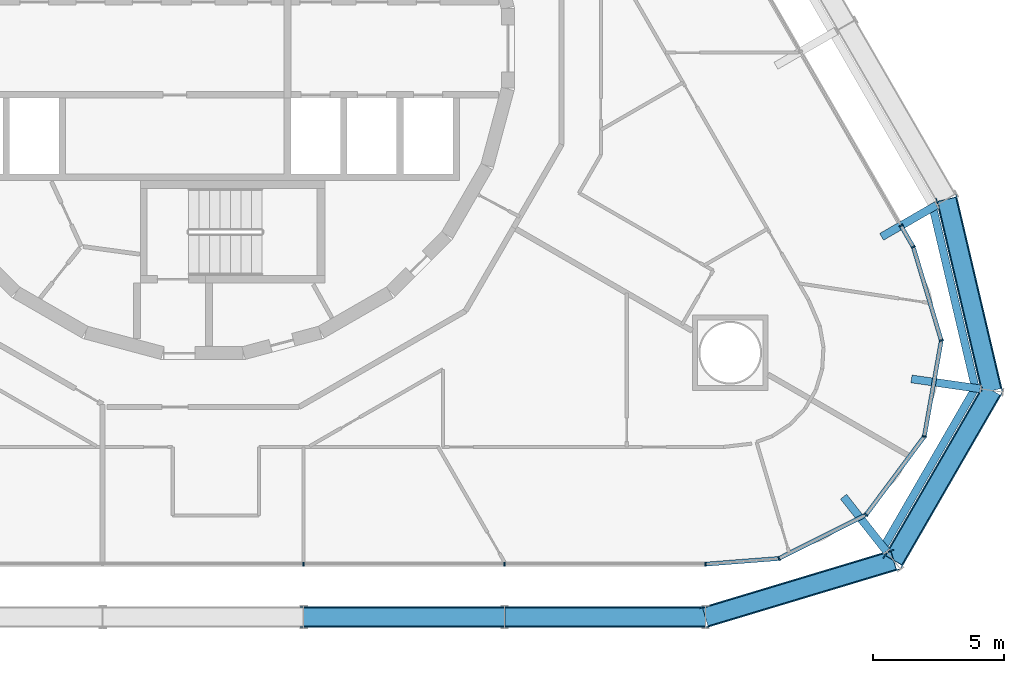
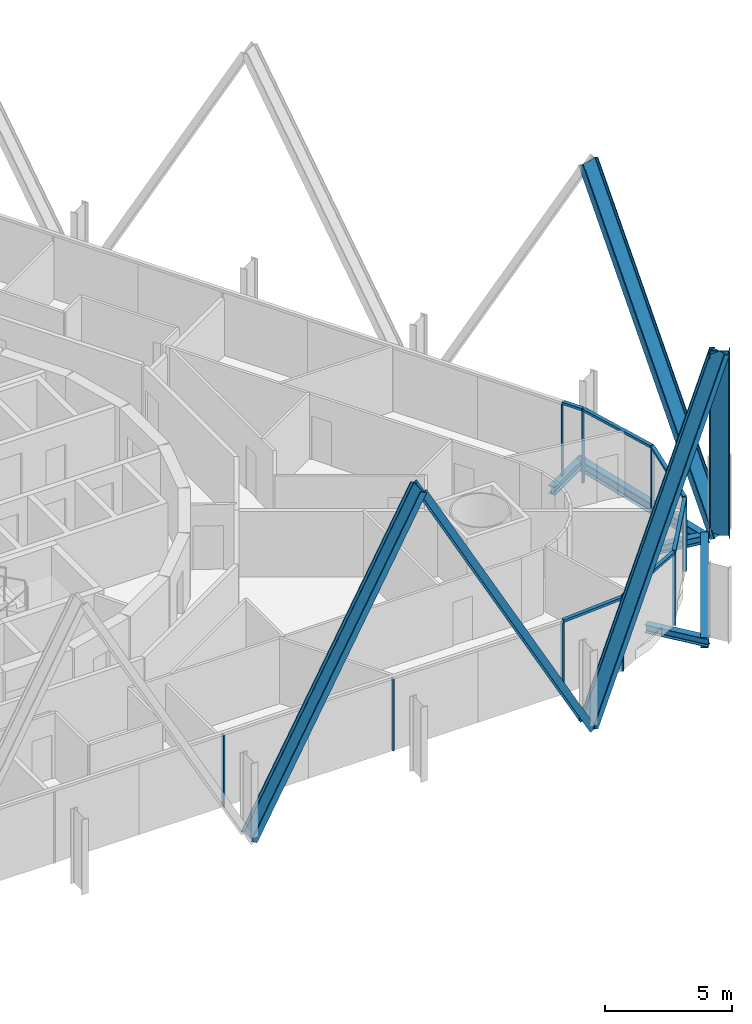
# One storey, part 7 of 21: 20 members, 5 beams, 3 elements without a shape of their own.
"""IFC4 building model written with IfcOpenShell, lengths in metres."""

from ifc_helpers import new_model, si_unit, direction, frame, origin, origin_2d, place, context, subcontext, project, spatial, rectangle, i_section, extrude, material, layer, layer_set, material_profile, profile_set, type_object, element, aggregate, save


model = new_model("IFC4")

# Units and contexts
model_context = context("Model", 3, precision=1e-05, world=origin(), true_north=direction((0.0, 1.0)))
body_context = subcontext(model_context, "Body", "Model", "MODEL_VIEW")
ifc_project = project(units=[si_unit("LENGTHUNIT", "METRE"), si_unit("AREAUNIT", "SQUARE_METRE"), si_unit("VOLUMEUNIT", "CUBIC_METRE"), si_unit("PLANEANGLEUNIT", "RADIAN"), si_unit("MASSUNIT", "GRAM", prefix="KILO")], contexts=[model_context])

# Site, building, storey
site_placement = place(None, origin())
site = spatial("IfcSite", under=ifc_project, at=site_placement, CompositionType="ELEMENT")
building_placement = place(site_placement, origin())
building = spatial("IfcBuilding", under=site, at=building_placement, Name="Spindle Arch Residences", CompositionType="ELEMENT")
storey_placement = place(building_placement, frame((0.0, 0.0, 38.39990234375)))
storey = spatial("IfcBuildingStorey", under=building, at=storey_placement, Name="L07", CompositionType="ELEMENT", Elevation=38.39990234375)

# Curtain wall, members
ifc_material_1 = material(Name="Aluminium bronze unitised frame with tinted glass", Category="aluminium")
ifc_layer_1 = layer(ifc_material_1, 0.159912109375)
ifc_layer_set_1 = layer_set([ifc_layer_1], Name="CW-D corner wall on the fillet arcs")
curtain_wall_type_1 = type_object("IfcCurtainWallType", Name="CW-D corner wall on the fillet arcs", PredefinedType="NOTDEFINED", material=ifc_layer_set_1)
curtain_wall_1_placement = place(storey_placement, origin())
curtain_wall_1 = element("IfcCurtainWall", 1, at=curtain_wall_1_placement, inside=storey, type_object=curtain_wall_type_1, Name="CW-D L07 run 1", PredefinedType="NOTDEFINED")
ifc_material_2 = material(Name="Aluminium bronze anodised mullion", Category="aluminium")
ifc_material_profile_1 = material_profile(ifc_material_2, rectangle(XDim=0.159912109375, YDim=0.06005859375, at=origin_2d()), Name="MU 60x160")
ifc_profile_set_1 = profile_set([ifc_material_profile_1], Name="Aluminium bronze anodised mullion")
member_type_1 = type_object("IfcMemberType", Name="Bronze mullion 60x160", PredefinedType="MULLION", material=ifc_profile_set_1)
member_1_placement = place(storey_placement, frame((19.2001953125, -19.7099609375, -0.449951171875), z_axis=(0.0, 0.0, 1.0), x_axis=(-0.077364085451, 0.997002907861, 0.0)))
member_1 = element("IfcMember", 2, at=member_1_placement, type_object=member_type_1, Name="CW-D mullion 00", PredefinedType="MULLION", context=body_context, shape_type="SweptSolid", body=[
    extrude(rectangle(XDim=0.159912109375, YDim=0.06005859375, at=origin_2d()), origin(), (0.0, 0.0, 1.0), 3.449951171875),
])
member_2_placement = place(storey_placement, frame((22.007080078125, -19.4921875, -0.449951171875), z_axis=(0.0, 0.0, 1.0), x_axis=(-0.448799176213, 0.893632642326, 0.0)))
member_2 = element("IfcMember", 3, at=member_2_placement, type_object=member_type_1, Name="CW-D mullion 01", PredefinedType="MULLION", context=body_context, shape_type="SweptSolid", body=[
    extrude(rectangle(XDim=0.159912109375, YDim=0.06005859375, at=origin_2d()), origin(), (0.0, 0.0, 1.0), 3.449951171875),
])
member_3_placement = place(storey_placement, frame((25.33740234375, -17.819580078125, -0.449951171875), z_axis=(0.0, 0.0, 1.0), x_axis=(-0.802123189687, 0.597158595823, 0.0)))
member_3 = element("IfcMember", 4, at=member_3_placement, type_object=member_type_1, Name="CW-D mullion 02", PredefinedType="MULLION", context=body_context, shape_type="SweptSolid", body=[
    extrude(rectangle(XDim=0.159912109375, YDim=0.06005859375, at=origin_2d()), origin(), (0.0, 0.0, 1.0), 3.449951171875),
])
member_4_placement = place(storey_placement, frame((27.562744140625, -14.830322265625, -0.449951171875), z_axis=(0.0, 0.0, 1.0), x_axis=(-0.984807752421, 0.173648181019, 0.0)))
member_4 = element("IfcMember", 5, at=member_4_placement, type_object=member_type_1, Name="CW-D mullion 03", PredefinedType="MULLION", context=body_context, shape_type="SweptSolid", body=[
    extrude(rectangle(XDim=0.159912109375, YDim=0.06005859375, at=origin_2d()), origin(), (0.0, 0.0, 1.0), 3.449951171875),
])
member_5_placement = place(storey_placement, frame((28.2099609375, -11.16015625, -0.449951171875), z_axis=(0.0, 0.0, 1.0), x_axis=(-0.957989512975, -0.28680323051, 0.0)))
member_5 = element("IfcMember", 6, at=member_5_placement, type_object=member_type_1, Name="CW-D mullion 04", PredefinedType="MULLION", context=body_context, shape_type="SweptSolid", body=[
    extrude(rectangle(XDim=0.159912109375, YDim=0.06005859375, at=origin_2d()), origin(), (0.0, 0.0, 1.0), 3.449951171875),
])
member_6_placement = place(storey_placement, frame((27.14111328125, -7.58984375, -0.449951171875), z_axis=(0.0, 0.0, 1.0), x_axis=(-0.866025403784, -0.5, 0.0)))
member_6 = element("IfcMember", 7, at=member_6_placement, type_object=member_type_1, Name="CW-D mullion 05", PredefinedType="MULLION", context=body_context, shape_type="SweptSolid", body=[
    extrude(rectangle(XDim=0.159912109375, YDim=0.06005859375, at=origin_2d()), origin(), (0.0, 0.0, 1.0), 3.449951171875),
])

# Curtain wall, member
ifc_material_3 = material(Name="Aluminium bronze unitised frame with tinted glass", Category="aluminium")
ifc_layer_2 = layer(ifc_material_3, 0.159912109375)
ifc_layer_set_2 = layer_set([ifc_layer_2], Name="CW-C typical residential unitised wall")
curtain_wall_type_2 = type_object("IfcCurtainWallType", Name="CW-C typical residential unitised wall", PredefinedType="NOTDEFINED", material=ifc_layer_set_2)
curtain_wall_2_placement = place(storey_placement, origin())
curtain_wall_2 = element("IfcCurtainWall", 8, at=curtain_wall_2_placement, inside=storey, type_object=curtain_wall_type_2, Name="CW-C L07 run 2", PredefinedType="NOTDEFINED")
member_7_placement = place(storey_placement, frame((26.66943359375, -6.77294921875, -0.449951171875), z_axis=(0.0, 0.0, 1.0), x_axis=(-0.866025403784, -0.5, 0.0)))
member_7 = element("IfcMember", 9, at=member_7_placement, type_object=member_type_1, Name="CW-C mullion 05", PredefinedType="MULLION", context=body_context, shape_type="SweptSolid", body=[
    extrude(rectangle(XDim=0.159912109375, YDim=0.06005859375, at=origin_2d()), origin(), (0.0, 0.0, 1.0), 3.449951171875),
])
aggregate(curtain_wall_2, [member_7])

# Curtain wall, members
curtain_wall_3_placement = place(storey_placement, origin())
curtain_wall_3 = element("IfcCurtainWall", 10, at=curtain_wall_3_placement, inside=storey, type_object=curtain_wall_type_2, Name="CW-C L07 run 6", PredefinedType="NOTDEFINED")
member_8_placement = place(storey_placement, frame((3.840087890625, -19.7099609375, -0.449951171875), z_axis=(0.0, 0.0, 1.0), x_axis=(0.0, 1.0, 0.0)))
member_8 = element("IfcMember", 11, at=member_8_placement, type_object=member_type_1, Name="CW-C mullion 00", PredefinedType="MULLION", context=body_context, shape_type="SweptSolid", body=[
    extrude(rectangle(XDim=0.159912109375, YDim=0.06005859375, at=origin_2d()), origin(), (0.0, 0.0, 1.0), 3.449951171875),
])
member_9_placement = place(storey_placement, frame((11.52001953125, -19.7099609375, -0.449951171875), z_axis=(0.0, 0.0, 1.0), x_axis=(0.0, 1.0, 0.0)))
member_9 = element("IfcMember", 12, at=member_9_placement, type_object=member_type_1, Name="CW-C mullion 01", PredefinedType="MULLION", context=body_context, shape_type="SweptSolid", body=[
    extrude(rectangle(XDim=0.159912109375, YDim=0.06005859375, at=origin_2d()), origin(), (0.0, 0.0, 1.0), 3.449951171875),
])
aggregate(curtain_wall_3, [member_8, member_9])

# Member
ifc_material_4 = material(Name="Aluminium bronze anodised transom", Category="aluminium")
ifc_material_profile_2 = material_profile(ifc_material_4, rectangle(XDim=0.159912109375, YDim=0.1201171875, at=origin_2d()), Name="TR 120x160")
ifc_profile_set_2 = profile_set([ifc_material_profile_2], Name="Aluminium bronze anodised transom")
member_type_2 = type_object("IfcMemberType", Name="Bronze transom 120x160", PredefinedType="USERDEFINED", material=ifc_profile_set_2)
member_10_placement = place(storey_placement, frame((19.22998046875, -19.70751953125, 3.06005859375), z_axis=(0.997003710875, 0.077353736189, 0.0), x_axis=(-0.077353736189, 0.997003710875, 0.0)))
member_10 = element("IfcMember", 13, at=member_10_placement, type_object=member_type_2, Name="CW-D transom 00", ObjectType="TRANSOM", PredefinedType="USERDEFINED", context=body_context, shape_type="SweptSolid", body=[
    extrude(rectangle(XDim=0.159912109375, YDim=0.1201171875, at=origin_2d()), origin(), (0.0, 0.0, 1.0), 2.75537109375),
])

member_11_placement = place(storey_placement, frame((22.03369140625, -19.478759765625, 3.06005859375), z_axis=(0.893626812559, 0.448810784046, 0.0), x_axis=(-0.448810784046, 0.893626812559, 0.0)))
member_11 = element("IfcMember", 14, at=member_11_placement, type_object=member_type_2, Name="CW-D transom 01", ObjectType="TRANSOM", PredefinedType="USERDEFINED", context=body_context, shape_type="SweptSolid", body=[
    extrude(rectangle(XDim=0.159912109375, YDim=0.1201171875, at=origin_2d()), origin(), (0.0, 0.0, 1.0), 3.6669921875),
])

member_12_placement = place(storey_placement, frame((25.355224609375, -17.79541015625, 3.06005859375), z_axis=(0.597173190998, 0.802112323776, 0.0), x_axis=(-0.802112323776, 0.597173190998, 0.0)))
member_12 = element("IfcMember", 15, at=member_12_placement, type_object=member_type_2, Name="CW-D transom 02", ObjectType="TRANSOM", PredefinedType="USERDEFINED", context=body_context, shape_type="SweptSolid", body=[
    extrude(rectangle(XDim=0.159912109375, YDim=0.1201171875, at=origin_2d()), origin(), (0.0, 0.0, 1.0), 3.666748046875),
])

member_13_placement = place(storey_placement, frame((27.56787109375, -14.80078125, 3.06005859375), z_axis=(0.173709368694, 0.984796961423, 0.0), x_axis=(-0.984796961423, 0.173709368694, 0.0)))
member_13 = element("IfcMember", 16, at=member_13_placement, type_object=member_type_2, Name="CW-D transom 03", ObjectType="TRANSOM", PredefinedType="USERDEFINED", context=body_context, shape_type="SweptSolid", body=[
    extrude(rectangle(XDim=0.159912109375, YDim=0.1201171875, at=origin_2d()), origin(), (0.0, 0.0, 1.0), 3.666748046875),
])

member_14_placement = place(storey_placement, frame((28.201416015625, -11.13134765625, 3.06005859375), z_axis=(-0.286834736274, 0.957980080203, 0.0), x_axis=(-0.957980080203, -0.286834736274, 0.0)))
member_14 = element("IfcMember", 17, at=member_14_placement, type_object=member_type_2, Name="CW-D transom 04", ObjectType="TRANSOM", PredefinedType="USERDEFINED", context=body_context, shape_type="SweptSolid", body=[
    extrude(rectangle(XDim=0.159912109375, YDim=0.1201171875, at=origin_2d()), origin(), (0.0, 0.0, 1.0), 3.666748046875),
])

member_15_placement = place(storey_placement, frame((27.1259765625, -7.56396484375, 3.06005859375), z_axis=(-0.499913830031, 0.866075148324, 0.0), x_axis=(-0.866075148324, -0.499913830031, 0.0)))
member_15 = element("IfcMember", 18, at=member_15_placement, type_object=member_type_2, Name="CW-D transom 05", ObjectType="TRANSOM", PredefinedType="USERDEFINED", context=body_context, shape_type="SweptSolid", body=[
    extrude(rectangle(XDim=0.159912109375, YDim=0.1201171875, at=origin_2d()), origin(), (0.0, 0.0, 1.0), 0.883544921875),
])

aggregate(curtain_wall_1, [member_1, member_10, member_2, member_11, member_3, member_12, member_4, member_13, member_5, member_14, member_6, member_15])

# Members
ifc_material_5 = material(Name="Steel S460ML, intumescent coating R 240", Category="steel")
ifc_material_profile_3 = material_profile(ifc_material_5, i_section(OverallWidth=0.302978515625, OverallDepth=0.81396484375, WebThickness=0.02099609375, FlangeThickness=0.0400390625, FilletRadius=0.030029296875, at=origin_2d()), Name="HEM 800")
ifc_profile_set_3 = profile_set([ifc_material_profile_3], Name="Steel S460ML, intumescent coating R 240")
member_type_3 = type_object("IfcMemberType", Name="Diagrid diagonal HEM 800", PredefinedType="BRACE", material=ifc_profile_set_3)
member_16_placement = place(storey_placement, frame((3.840087890625, -21.72998046875, -0.699951171875), z_axis=(0.479109284312, 0.0, 0.877755258421), x_axis=(-0.877755258421, 0.0, 0.479109284312)))
element("IfcMember", 19, at=member_16_placement, inside=storey, type_object=member_type_3, Name="Diagrid diagonal 1.1.1", PredefinedType="BRACE", context=body_context, shape_type="SweptSolid", body=[
    extrude(i_section(OverallWidth=0.302978515625, OverallDepth=0.81396484375, WebThickness=0.02099609375, FlangeThickness=0.0400390625, FilletRadius=0.030029296875, at=origin_2d()), origin(), (0.0, 0.0, 1.0), 16.029541015625),
])
member_17_placement = place(storey_placement, frame((19.2001953125, -21.72998046875, -0.699951171875), z_axis=(-0.479121018672, 0.0, 0.877748853299), x_axis=(0.877748853299, 0.0, 0.479121018672)))
element("IfcMember", 20, at=member_17_placement, inside=storey, type_object=member_type_3, Name="Diagrid diagonal 1.1.2", PredefinedType="BRACE", context=body_context, shape_type="SweptSolid", body=[
    extrude(i_section(OverallWidth=0.302978515625, OverallDepth=0.81396484375, WebThickness=0.02099609375, FlangeThickness=0.0400390625, FilletRadius=0.030029296875, at=origin_2d()), origin(), (0.0, 0.0, 1.0), 16.02978515625),
])
member_18_placement = place(storey_placement, frame((19.2001953125, -21.72998046875, -0.699951171875), z_axis=(0.450901124329, 0.135732627289, 0.882193193109), x_axis=(-0.84474908319, -0.254290810723, 0.47088764056)))
element("IfcMember", 21, at=member_18_placement, inside=storey, type_object=member_type_3, Name="Diagrid diagonal 1.1.3", PredefinedType="BRACE", context=body_context, shape_type="SweptSolid", body=[
    extrude(i_section(OverallWidth=0.302978515625, OverallDepth=0.81396484375, WebThickness=0.02099609375, FlangeThickness=0.0400390625, FilletRadius=0.030029296875, at=origin_2d()), origin(), (0.0, 0.0, 1.0), 15.948974609375),
])
member_19_placement = place(storey_placement, frame((30.139892578125, -13.0732421875, -0.699951171875), z_axis=(-0.23511380549, -0.407211046817, 0.882553489494), x_axis=(0.441291381869, 0.764305291167, 0.470212014077)))
element("IfcMember", 22, at=member_19_placement, inside=storey, type_object=member_type_3, Name="Diagrid diagonal 1.1.4", PredefinedType="BRACE", context=body_context, shape_type="SweptSolid", body=[
    extrude(i_section(OverallWidth=0.302978515625, OverallDepth=0.81396484375, WebThickness=0.02099609375, FlangeThickness=0.0400390625, FilletRadius=0.030029296875, at=origin_2d()), origin(), (0.0, 0.0, 1.0), 15.9423828125),
])
member_20_placement = place(storey_placement, frame((30.139892578125, -13.0732421875, -0.699951171875), z_axis=(-0.107918612361, 0.458355604245, 0.882192560138), x_axis=(0.202181473813, -0.858712038352, 0.470888826409)))
element("IfcMember", 23, at=member_20_placement, inside=storey, type_object=member_type_3, Name="Diagrid diagonal 1.1.5", PredefinedType="BRACE", context=body_context, shape_type="SweptSolid", body=[
    extrude(i_section(OverallWidth=0.302978515625, OverallDepth=0.81396484375, WebThickness=0.02099609375, FlangeThickness=0.0400390625, FilletRadius=0.030029296875, at=origin_2d()), origin(), (0.0, 0.0, 1.0), 15.948974609375),
])

# Beams
ifc_material_6 = material(Name="Steel S460ML, intumescent coating R 120", Category="steel")
ifc_material_profile_4 = material_profile(ifc_material_6, i_section(OverallWidth=0.300048828125, OverallDepth=0.5, WebThickness=0.014404296875, FlangeThickness=0.028076171875, FilletRadius=0.027099609375, at=origin_2d()), Name="HEB 500")
ifc_profile_set_4 = profile_set([ifc_material_profile_4], Name="Steel S460ML, intumescent coating R 120")
beam_type_1 = type_object("IfcBeamType", Name="Exoskeleton edge beam HEB 500", PredefinedType="BEAM", material=ifc_profile_set_4)
beam_1_placement = place(storey_placement, frame((25.9482421875, -19.1591796875, -0.699951171875), z_axis=(0.499999897272, 0.866025463095, 0.0), x_axis=(-0.866025463095, 0.499999897272, 0.0)))
element("IfcBeam", 24, at=beam_1_placement, inside=storey, type_object=beam_type_1, Name="Exoskeleton edge beam 4", PredefinedType="BEAM", context=body_context, shape_type="SweptSolid", body=[
    extrude(i_section(OverallWidth=0.300048828125, OverallDepth=0.5, WebThickness=0.014404296875, FlangeThickness=0.028076171875, FilletRadius=0.027099609375, at=origin_2d()), origin(), (0.0, 0.0, 1.0), 7.236328125),
])
beam_2_placement = place(storey_placement, frame((29.53369140625, -13.0576171875, -0.699951171875), z_axis=(-0.229185730541, 0.973382710406, 0.0), x_axis=(-0.973382710406, -0.229185730541, 0.0)))
element("IfcBeam", 25, at=beam_2_placement, inside=storey, type_object=beam_type_1, Name="Exoskeleton edge beam 5", PredefinedType="BEAM", context=body_context, shape_type="SweptSolid", body=[
    extrude(i_section(OverallWidth=0.300048828125, OverallDepth=0.5, WebThickness=0.014404296875, FlangeThickness=0.028076171875, FilletRadius=0.027099609375, at=origin_2d()), origin(), (0.0, 0.0, 1.0), 7.25),
])
ifc_material_7 = material(Name="Steel S460ML, intumescent coating R 120", Category="steel")
ifc_material_profile_5 = material_profile(ifc_material_7, i_section(OverallWidth=0.300048828125, OverallDepth=0.389892578125, WebThickness=0.010986328125, FlangeThickness=0.01904296875, FilletRadius=0.027099609375, at=origin_2d()), Name="HEA 400")
ifc_profile_set_5 = profile_set([ifc_material_profile_5], Name="Steel S460ML, intumescent coating R 120")
beam_type_2 = type_object("IfcBeamType", Name="Floor outrigger HEA 400", PredefinedType="BEAM", material=ifc_profile_set_5)
for number, where, z_axis, x_axis, name in (
    (26, (26.11328125, -19.211669921875, -0.64501953125), (-0.618586231558, 0.785716917297, 0.0), (-0.785716917297, -0.618586231558, 0.0), "Floor outrigger 4"),
    (27, (29.694580078125, -13.009033203125, -0.64501953125), (-0.989738348309, 0.142891573883, 0.0), (-0.142891573883, -0.989738348309, 0.0), "Floor outrigger 5"),
):
    element("IfcBeam", number, at=place(storey_placement, frame(where, z_axis=z_axis, x_axis=x_axis)), inside=storey, type_object=beam_type_2, Name=name, PredefinedType="BEAM", context=body_context, shape_type="SweptSolid", body=[
        extrude(i_section(OverallWidth=0.300048828125, OverallDepth=0.389892578125, WebThickness=0.010986328125, FlangeThickness=0.01904296875, FilletRadius=0.027099609375, at=origin_2d()), origin(), (0.0, 0.0, 1.0), 2.64990234375),
    ])
beam_3_placement = place(storey_placement, frame((28.029052734375, -5.98779296875, -0.64501953125), z_axis=(-0.866002732682, -0.500039265445, 0.0), x_axis=(0.500039265445, -0.866002732682, 0.0)))
element("IfcBeam", 28, at=beam_3_placement, inside=storey, type_object=beam_type_2, Name="Floor outrigger 6", PredefinedType="BEAM", context=body_context, shape_type="SweptSolid", body=[
    extrude(i_section(OverallWidth=0.300048828125, OverallDepth=0.389892578125, WebThickness=0.010986328125, FlangeThickness=0.01904296875, FilletRadius=0.027099609375, at=origin_2d()), origin(), (0.0, 0.0, 1.0), 2.423583984375),
])

save(model, "model.ifc")
